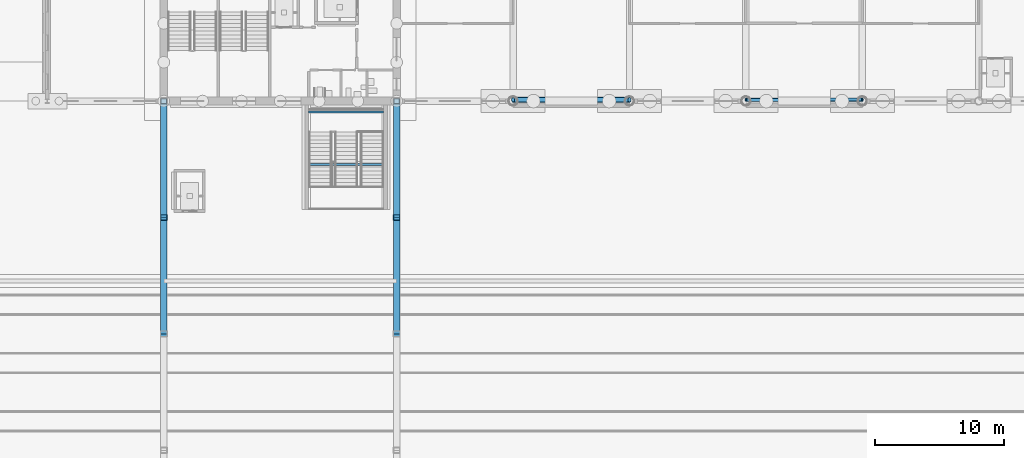
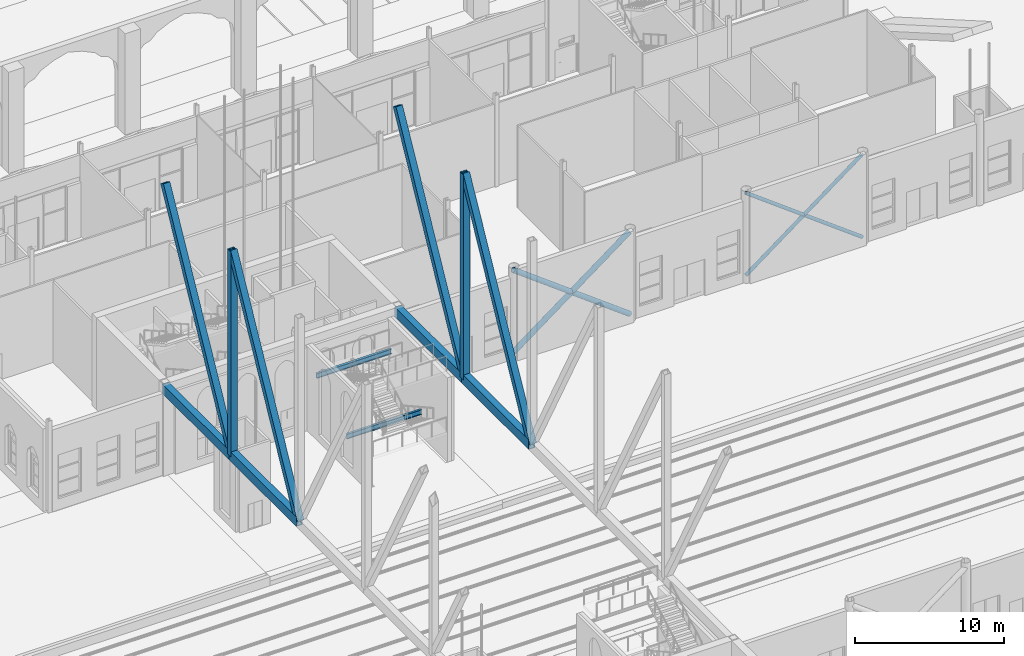
# One storey, part 44 of 250: 14 members, 2 beams.
"""IFC4 building model written with IfcOpenShell, lengths in metres."""

from ifc_helpers import new_model, si_unit, direction, frame, origin, origin_2d, place, context, subcontext, project, spatial, hollow_rectangle, hollow_circle, i_section, extrude, material, material_profile, profile_set, type_object, element, save


model = new_model("IFC4")

# Units and contexts
model_context = context("Model", 3, precision=1e-05, world=origin(), true_north=direction((0.0, 1.0)))
body_context = subcontext(model_context, "Body", "Model", "MODEL_VIEW")
ifc_project = project(units=[si_unit("LENGTHUNIT", "METRE"), si_unit("AREAUNIT", "SQUARE_METRE"), si_unit("VOLUMEUNIT", "CUBIC_METRE"), si_unit("PLANEANGLEUNIT", "RADIAN"), si_unit("MASSUNIT", "GRAM", prefix="KILO")], contexts=[model_context])

# Site, building, storey
site_placement = place(None, origin())
site = spatial("IfcSite", under=ifc_project, at=site_placement, CompositionType="ELEMENT")
building_placement = place(site_placement, origin())
building = spatial("IfcBuilding", under=site, at=building_placement, Name="Baradari Gate Terminus", CompositionType="ELEMENT")
storey_placement = place(building_placement, origin())
storey = spatial("IfcBuildingStorey", under=building, at=storey_placement, Name="L00", CompositionType="ELEMENT", Elevation=0.0)

# Members
ifc_material_1 = material(Name="Steel S355", Category="steel")
ifc_material_profile_1 = material_profile(ifc_material_1, hollow_circle(Radius=0.203125, WallThickness=0.01611328125, at=origin_2d()), Name="CHS 406.4x16")
ifc_profile_set_1 = profile_set([ifc_material_profile_1], Name="Steel S355")
member_type_1 = type_object("IfcMemberType", Name="Column bracing X01 CHS 406.4x16", PredefinedType="BRACE", material=ifc_profile_set_1)
for number, where, z_axis, x_axis, name in (
    (1, (99.0, 81.10009765625, 0.35009765625), (0.8, 0.0, 0.6), (0.0, 1.0, 0.0), "Column bracing 12-13 line K L00"),
    (2, (108.0, 81.10009765625, 0.35009765625), (-0.8, 0.0, 0.6), (0.0, -1.0, 0.0), "Column bracing 12-13 line K L00"),
):
    element("IfcMember", number, at=place(storey_placement, frame(where, z_axis=z_axis, x_axis=x_axis)), inside=storey, type_object=member_type_1, Name=name, PredefinedType="BRACE", context=body_context, shape_type="SweptSolid", body=[
        extrude(hollow_circle(Radius=0.203125, WallThickness=0.01611328125, at=origin_2d()), origin(), (0.0, 0.0, 1.0), 11.25),
    ])
ifc_material_2 = material(Name="Steel S355", Category="steel")
ifc_material_profile_2 = material_profile(ifc_material_2, hollow_circle(Radius=0.136474609375, WallThickness=0.01611328125, at=origin_2d()), Name="CHS 273x16")
ifc_profile_set_2 = profile_set([ifc_material_profile_2], Name="Steel S355")
member_type_2 = type_object("IfcMemberType", Name="Column bracing X03 CHS 273x16", PredefinedType="BRACE", material=ifc_profile_set_2)
for number, where, z_axis, x_axis, name in (
    (3, (117.0, 81.10009765625, 0.35009765625), (0.8, 0.0, 0.6), (0.0, 1.0, 0.0), "Column bracing 14-15 line K L00"),
    (4, (126.0, 81.10009765625, 0.35009765625), (-0.8, 0.0, 0.6), (0.0, -1.0, 0.0), "Column bracing 14-15 line K L00"),
):
    element("IfcMember", number, at=place(storey_placement, frame(where, z_axis=z_axis, x_axis=x_axis)), inside=storey, type_object=member_type_2, Name=name, PredefinedType="BRACE", context=body_context, shape_type="SweptSolid", body=[
        extrude(hollow_circle(Radius=0.136474609375, WallThickness=0.01611328125, at=origin_2d()), origin(), (0.0, 0.0, 1.0), 11.25),
    ])

# Beams
ifc_material_3 = material(Name="Steel S355", Category="steel")
ifc_material_profile_3 = material_profile(ifc_material_3, i_section(OverallWidth=0.177978515625, OverallDepth=0.406494140625, WebThickness=0.0078125, FlangeThickness=0.0126953125, FilletRadius=0.01025390625, at=origin_2d()), Name="UB 406x178x60")
ifc_profile_set_3 = profile_set([ifc_material_profile_3], Name="Steel S355")
beam_type_1 = type_object("IfcBeamType", Name="Landing girder B69 UB 406x178x60", PredefinedType="BEAM", material=ifc_profile_set_3)
beam_1_placement = place(storey_placement, frame((83.199951171875, 76.090087890625, 2.046875), z_axis=(1.0, 0.0, 0.0), x_axis=(0.0, 1.0, 0.0)))
element("IfcBeam", 5, at=beam_1_placement, inside=storey, type_object=beam_type_1, Name="B69 landing beam PS-2/L1", PredefinedType="BEAM", context=body_context, shape_type="SweptSolid", body=[
    extrude(i_section(OverallWidth=0.177978515625, OverallDepth=0.406494140625, WebThickness=0.0078125, FlangeThickness=0.0126953125, FilletRadius=0.01025390625, at=origin_2d()), origin(), (0.0, 0.0, 1.0), 5.800048828125),
])
ifc_material_4 = material(Name="Steel S355", Category="steel")
ifc_material_profile_4 = material_profile(ifc_material_4, i_section(OverallWidth=0.177978515625, OverallDepth=0.406494140625, WebThickness=0.0078125, FlangeThickness=0.0126953125, FilletRadius=0.01025390625, at=origin_2d()), Name="UB 406x178x60")
ifc_profile_set_4 = profile_set([ifc_material_profile_4], Name="Steel S355")
beam_type_2 = type_object("IfcBeamType", Name="Landing girder B70 UB 406x178x60", PredefinedType="BEAM", material=ifc_profile_set_4)
beam_2_placement = place(storey_placement, frame((83.199951171875, 80.14990234375, 4.546875), z_axis=(1.0, 0.0, 0.0), x_axis=(0.0, 1.0, 0.0)))
element("IfcBeam", 6, at=beam_2_placement, inside=storey, type_object=beam_type_2, Name="B70 landing beam PS-2/L2", PredefinedType="BEAM", context=body_context, shape_type="SweptSolid", body=[
    extrude(i_section(OverallWidth=0.177978515625, OverallDepth=0.406494140625, WebThickness=0.0078125, FlangeThickness=0.0126953125, FilletRadius=0.01025390625, at=origin_2d()), origin(), (0.0, 0.0, 1.0), 5.800048828125),
])

# Members
ifc_material_5 = material(Name="Steel S355", Category="steel")
ifc_material_profile_5 = material_profile(ifc_material_5, hollow_rectangle(XDim=0.5, YDim=0.77001953125, WallThickness=0.0400390625, at=origin_2d()), Name="FB 500x770x40")
ifc_profile_set_5 = profile_set([ifc_material_profile_5], Name="Steel S355")
member_type_3 = type_object("IfcMemberType", Name="Transfer truss bottom chord FB 500x770x40", PredefinedType="CHORD", material=ifc_profile_set_5)
for number, where, z_axis, x_axis, name in (
    (7, (72.0, 63.0, 6.985107421875), (0.0, 1.0, 0.0), (-1.0, 0.0, 0.0), "TR/L00/G72-BC3"),
    (8, (72.0, 72.0, 6.985107421875), (0.0, 1.0, 0.0), (-1.0, 0.0, 0.0), "TR/L00/G72-BC4"),
    (9, (90.0, 63.0, 6.985107421875), (0.0, 1.0, 0.0), (-1.0, 0.0, 0.0), "TR/L00/G90-BC3"),
    (10, (90.0, 72.0, 6.985107421875), (0.0, 1.0, 0.0), (-1.0, 0.0, 0.0), "TR/L00/G90-BC4"),
):
    element("IfcMember", number, at=place(storey_placement, frame(where, z_axis=z_axis, x_axis=x_axis)), inside=storey, type_object=member_type_3, Name=name, PredefinedType="CHORD", context=body_context, shape_type="SweptSolid", body=[
        extrude(hollow_rectangle(XDim=0.5, YDim=0.77001953125, WallThickness=0.0400390625, at=origin_2d()), origin(), (0.0, 0.0, 1.0), 9.0),
    ])
ifc_material_6 = material(Name="Steel S355", Category="steel")
ifc_material_profile_6 = material_profile(ifc_material_6, hollow_rectangle(XDim=0.5, YDim=0.449951171875, WallThickness=0.031982421875, at=origin_2d()), Name="FB 500x450x32")
ifc_profile_set_6 = profile_set([ifc_material_profile_6], Name="Steel S355")
member_type_4 = type_object("IfcMemberType", Name="Transfer truss diagonal FB 500x450x32", PredefinedType="BRACE", material=ifc_profile_set_6)
for number, where, z_axis, x_axis, name in (
    (11, (72.0, 72.0, 23.75), (0.0, -0.472989241407, -0.881068202532), (1.0, 0.0, 0.0), "TR/L00/G72-GD3"),
    (12, (72.0, 81.0, 23.75), (0.0, -0.472989241407, -0.881068202532), (1.0, 0.0, 0.0), "TR/L00/G72-GD4"),
    (13, (90.0, 72.0, 23.75), (0.0, -0.472989241407, -0.881068202532), (1.0, 0.0, 0.0), "TR/L00/G90-GD3"),
    (14, (90.0, 81.0, 23.75), (0.0, -0.472989241407, -0.881068202532), (1.0, 0.0, 0.0), "TR/L00/G90-GD4"),
):
    element("IfcMember", number, at=place(storey_placement, frame(where, z_axis=z_axis, x_axis=x_axis)), inside=storey, type_object=member_type_4, Name=name, PredefinedType="BRACE", context=body_context, shape_type="SweptSolid", body=[
        extrude(hollow_rectangle(XDim=0.5, YDim=0.449951171875, WallThickness=0.031982421875, at=origin_2d()), origin(), (0.0, 0.0, 1.0), 19.02783203125),
    ])
ifc_material_7 = material(Name="Steel S355", Category="steel")
ifc_material_profile_7 = material_profile(ifc_material_7, hollow_rectangle(XDim=0.5, YDim=0.449951171875, WallThickness=0.02490234375, at=origin_2d()), Name="FB 500x450x25")
ifc_profile_set_7 = profile_set([ifc_material_profile_7], Name="Steel S355")
member_type_5 = type_object("IfcMemberType", Name="Transfer truss post FB 500x450x25", PredefinedType="POST", material=ifc_profile_set_7)
for number, where, z_axis, x_axis, name in (
    (15, (72.0, 72.0, 6.985107421875), (0.0, 0.0, 1.0), (1.0, 0.0, 0.0), "TR/L00/G72-GP4"),
    (16, (90.0, 72.0, 6.985107421875), (0.0, 0.0, 1.0), (1.0, 0.0, 0.0), "TR/L00/G90-GP4"),
):
    element("IfcMember", number, at=place(storey_placement, frame(where, z_axis=z_axis, x_axis=x_axis)), inside=storey, type_object=member_type_5, Name=name, PredefinedType="POST", context=body_context, shape_type="SweptSolid", body=[
        extrude(hollow_rectangle(XDim=0.5, YDim=0.449951171875, WallThickness=0.02490234375, at=origin_2d()), origin(), (0.0, 0.0, 1.0), 16.764892578125),
    ])

save(model, "model.ifc")
